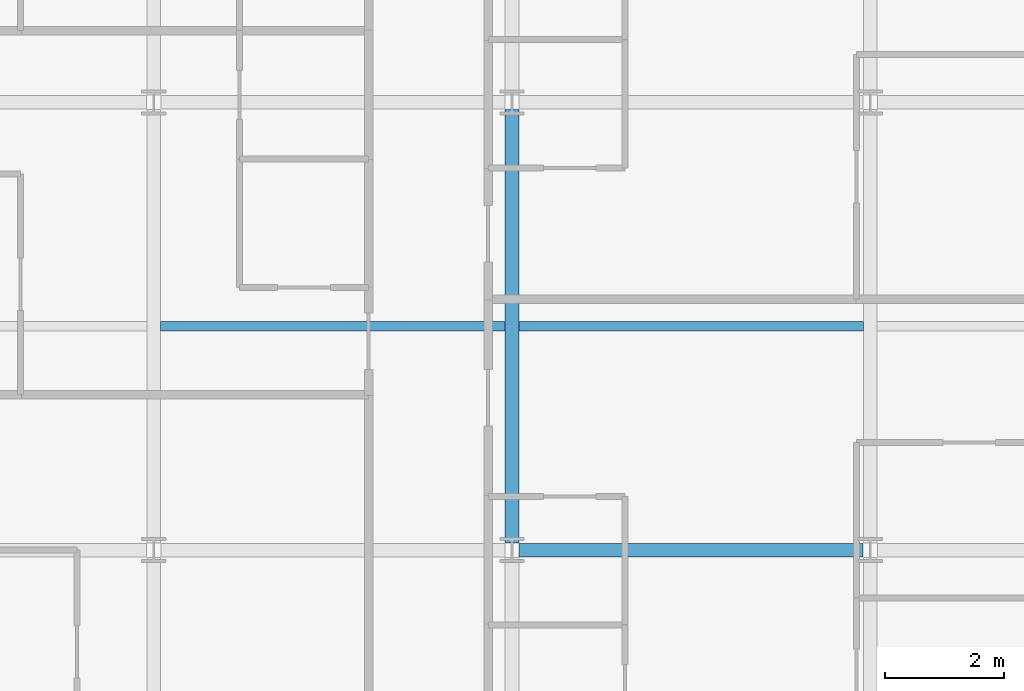
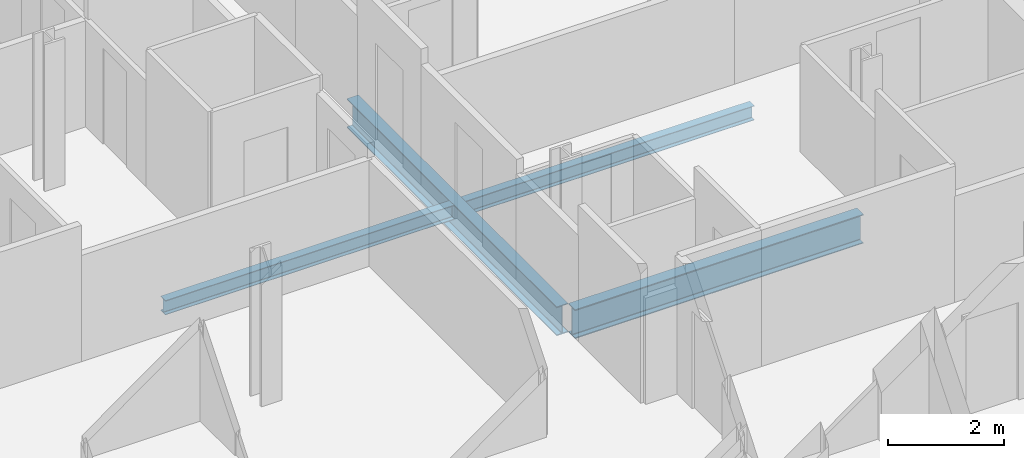
# One storey, part 6 of 41: 4 beams.
"""IFC4 building model written with IfcOpenShell, lengths in metres."""

from ifc_helpers import new_model, si_unit, direction, frame, origin, origin_2d, place, context, subcontext, project, spatial, i_section, extrude, material, material_profile, profile_set, type_object, element, save


model = new_model("IFC4")

# Units and contexts
model_context = context("Model", 3, precision=1e-05, world=origin(), true_north=direction((0.0, 1.0)))
body_context = subcontext(model_context, "Body", "Model", "MODEL_VIEW")
ifc_project = project(units=[si_unit("LENGTHUNIT", "METRE"), si_unit("AREAUNIT", "SQUARE_METRE"), si_unit("VOLUMEUNIT", "CUBIC_METRE"), si_unit("PLANEANGLEUNIT", "RADIAN"), si_unit("MASSUNIT", "GRAM", prefix="KILO")], contexts=[model_context])

# Site, building, storey
site_placement = place(None, origin())
site = spatial("IfcSite", under=ifc_project, at=site_placement, CompositionType="ELEMENT")
building_placement = place(site_placement, origin())
building = spatial("IfcBuilding", under=site, at=building_placement, Name="Brevholm Reach", CompositionType="ELEMENT")
storey_placement = place(building_placement, frame((0.0, 0.0, 100.39990234375)))
storey = spatial("IfcBuildingStorey", under=building, at=storey_placement, Name="L29", CompositionType="ELEMENT", Elevation=100.39990234375)

# Beams
ifc_material_1 = material(Name="Structural Steel S355J2", Category="steel")
ifc_material_profile_1 = material_profile(ifc_material_1, i_section(OverallWidth=0.1650390625, OverallDepth=0.303466796875, WebThickness=0.006103515625, FlangeThickness=0.01025390625, FilletRadius=0.0087890625, at=origin_2d()), Name="UKB 305x165x40")
ifc_profile_set_1 = profile_set([ifc_material_profile_1], Name="Structural Steel S355J2")
beam_type_1 = type_object("IfcBeamType", Name="BM-B305", PredefinedType="BEAM", material=ifc_profile_set_1)
for number, where, z_axis, x_axis, name in (
    (1, (6.114501953125, 19.75, -0.37158203125), (1.0, 0.0, 0.0), (0.0, 1.0, 0.0), "L29 Composite Secondary Floor Beam"),
    (2, (12.114501953125, 19.75, -0.37158203125), (1.0, 0.0, 0.0), (0.0, 1.0, 0.0), "L29 Composite Secondary Floor Beam"),
):
    element("IfcBeam", number, at=place(storey_placement, frame(where, z_axis=z_axis, x_axis=x_axis)), inside=storey, type_object=beam_type_1, Name=name, PredefinedType="BEAM", context=body_context, shape_type="SweptSolid", body=[
        extrude(i_section(OverallWidth=0.1650390625, OverallDepth=0.303466796875, WebThickness=0.006103515625, FlangeThickness=0.01025390625, FilletRadius=0.0087890625, at=origin_2d()), origin(), (0.0, 0.0, 1.0), 5.77099609375),
    ])
ifc_material_2 = material(Name="Structural Steel S355J2", Category="steel")
ifc_material_profile_2 = material_profile(ifc_material_2, i_section(OverallWidth=0.22900390625, OverallDepth=0.6123046875, WebThickness=0.011962890625, FlangeThickness=0.01953125, FilletRadius=0.0126953125, at=origin_2d()), Name="UKB 610x229x125")
ifc_profile_set_2 = profile_set([ifc_material_profile_2], Name="Structural Steel S355J2")
beam_type_2 = type_object("IfcBeamType", Name="BM-SP610", PredefinedType="SPANDREL", material=ifc_profile_set_2)
beam_1_placement = place(storey_placement, frame((12.1201171875, 16.0, -0.526123046875), z_axis=(1.0, 0.0, 0.0), x_axis=(0.0, 1.0, 0.0)))
element("IfcBeam", 3, at=beam_1_placement, inside=storey, type_object=beam_type_2, Name="L29 SP-01 Framing Beam", PredefinedType="SPANDREL", context=body_context, shape_type="SweptSolid", body=[
    extrude(i_section(OverallWidth=0.22900390625, OverallDepth=0.6123046875, WebThickness=0.011962890625, FlangeThickness=0.01953125, FilletRadius=0.0126953125, at=origin_2d()), origin(), (0.0, 0.0, 1.0), 5.759765625),
])
beam_2_placement = place(storey_placement, frame((12.0, 16.1201171875, -0.526123046875), z_axis=(0.0, 1.0, 0.0), x_axis=(-1.0, 0.0, 0.0)))
element("IfcBeam", 4, at=beam_2_placement, inside=storey, type_object=beam_type_2, Name="L29 SP-01 Framing Beam", PredefinedType="SPANDREL", context=body_context, shape_type="SweptSolid", body=[
    extrude(i_section(OverallWidth=0.22900390625, OverallDepth=0.6123046875, WebThickness=0.011962890625, FlangeThickness=0.01953125, FilletRadius=0.0126953125, at=origin_2d()), origin(), (0.0, 0.0, 1.0), 7.259765625),
])

save(model, "model.ifc")
